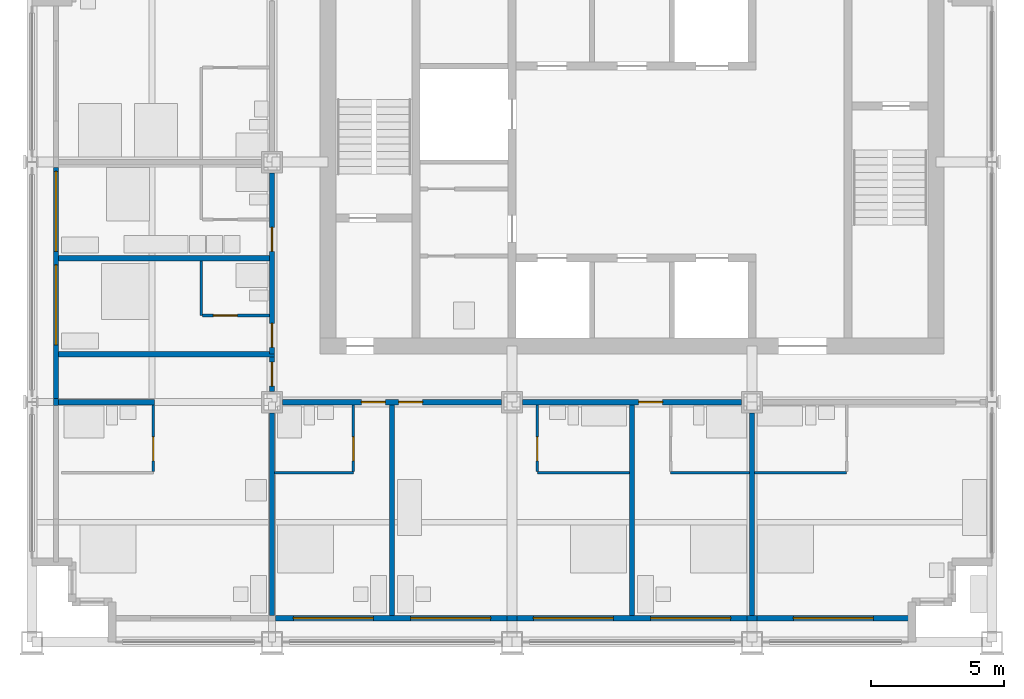
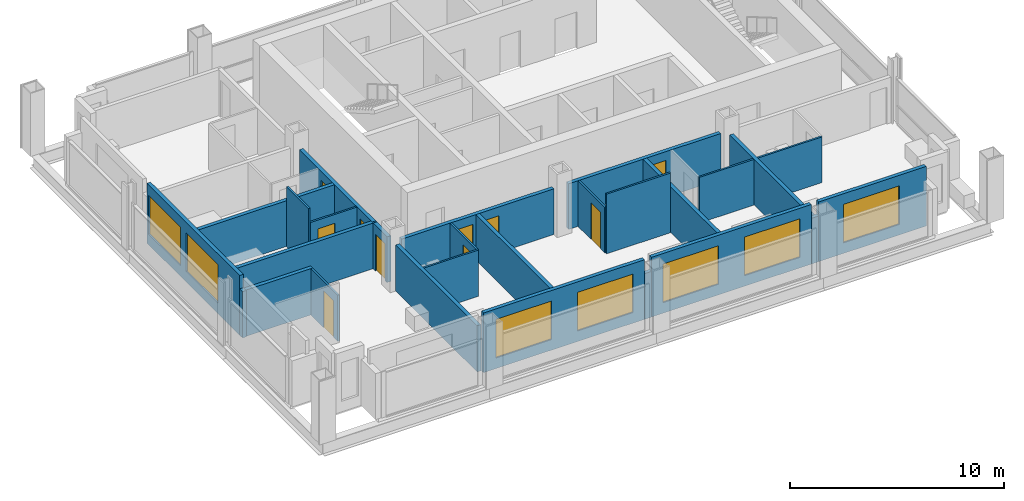
# One storey, part 6 of 12: 27 walls, 10 doors, 7 windows, 17 openings.
"""IFC4 building model written with IfcOpenShell, lengths in metres."""

from ifc_helpers import new_model, si_unit, direction, frame, frame_2d, origin, place, context, subcontext, project, spatial, rectangle, extrude, material, layer, layer_set, type_object, element, fill, save


model = new_model("IFC4")

# Units and contexts
model_context = context("Model", 3, precision=1e-05, world=origin(), true_north=direction((0.0, 1.0)))
body_context = subcontext(model_context, "Body", "Model", "MODEL_VIEW")
ifc_project = project(units=[si_unit("LENGTHUNIT", "METRE"), si_unit("AREAUNIT", "SQUARE_METRE"), si_unit("VOLUMEUNIT", "CUBIC_METRE"), si_unit("PLANEANGLEUNIT", "RADIAN"), si_unit("MASSUNIT", "GRAM", prefix="KILO")], contexts=[model_context])

# Site, building, storey
site_placement = place(None, origin())
site = spatial("IfcSite", under=ifc_project, at=site_placement, CompositionType="ELEMENT")
building_placement = place(site_placement, origin())
building = spatial("IfcBuilding", under=site, at=building_placement, Name="Loomwork Tower", CompositionType="ELEMENT")
storey_placement = place(building_placement, frame((0.0, 0.0, 230.199951171875)))
storey = spatial("IfcBuildingStorey", under=building, at=storey_placement, Name="L63", CompositionType="ELEMENT", Elevation=230.199951171875)

# Wall
ifc_material_1 = material(Name="Gypsum board on steel studs, one-hour", Category="steel")
ifc_layer_1 = layer(ifc_material_1, 0.199951171875)
ifc_layer_set_1 = layer_set([ifc_layer_1], Name="Corridor wall 200")
wall_type_1 = type_object("IfcWallType", Name="Corridor wall 200", PredefinedType="PARTITIONING", material=ifc_layer_set_1)
wall_1_placement = place(storey_placement, frame((1.0, 9.0, 0.0), z_axis=(0.0, 0.0, 1.0), x_axis=(1.0, 0.0, 0.0)))
element("IfcWall", 1, at=wall_1_placement, inside=storey, type_object=wall_type_1, Name="South corridor wall 1", PredefinedType="PARTITIONING", context=body_context, shape_type="SweptSolid", body=[
    extrude(rectangle(XDim=3.60009765625, YDim=0.199951171875, at=frame_2d((1.800048828125, 0.0))), origin(), (0.0, 0.0, 1.0), 2.637939453125),
])

# Wall, openings, doors
wall_2_placement = place(storey_placement, frame((9.39990234375, 9.0, 0.0), z_axis=(0.0, 0.0, 1.0), x_axis=(1.0, 0.0, 0.0)))
wall_2 = element("IfcWall", 2, at=wall_2_placement, inside=storey, type_object=wall_type_1, Name="South corridor wall 2", PredefinedType="PARTITIONING", context=body_context, shape_type="SweptSolid", body=[
    extrude(rectangle(XDim=8.2001953125, YDim=0.199951171875, at=frame_2d((4.10009765625, 0.0))), origin(), (0.0, 0.0, 1.0), 2.60498046875),
])
opening_1_placement = place(wall_2_placement, frame((2.949951171875, 0.0, 0.0)))
opening_1 = element("IfcOpeningElement", 3, at=opening_1_placement, cuts=wall_2, Name="Opening D1", PredefinedType="OPENING", context=body_context, shape_type="SweptSolid", body=[
    extrude(rectangle(XDim=0.89990234375, YDim=2.10009765625, at=frame_2d((0.449951171875, 1.050048828125))), frame((0.0, 0.10986328125, 0.0), z_axis=(0.0, -1.0, 0.0), x_axis=(1.0, 0.0, 0.0)), (0.0, 0.0, 1.0), 0.219970703125),
])
opening_2_placement = place(wall_2_placement, frame((4.35009765625, 0.0, 0.0)))
opening_2 = element("IfcOpeningElement", 4, at=opening_2_placement, cuts=wall_2, Name="Opening D1", PredefinedType="OPENING", context=body_context, shape_type="SweptSolid", body=[
    extrude(rectangle(XDim=0.89990234375, YDim=2.10009765625, at=frame_2d((0.449951171875, 1.050048828125))), frame((0.0, 0.10986328125, 0.0), z_axis=(0.0, -1.0, 0.0), x_axis=(1.0, 0.0, 0.0)), (0.0, 0.0, 1.0), 0.219970703125),
])
ifc_material_2 = material(Name="Hollow metal door and frame")
door_type_1 = type_object("IfcDoorType", Name="Guest room entry door 900", OperationType="SINGLE_SWING_LEFT", PredefinedType="DOOR", material=ifc_material_2)
door_1_placement = place(opening_1_placement, frame((0.89990234375, 0.0, 0.0), z_axis=(0.0, 0.0, 1.0), x_axis=(-1.0, 0.0, 0.0)))
door_1 = element("IfcDoor", 5, at=door_1_placement, inside=storey, type_object=door_type_1, Name="Guest room entry door L63 2", OperationType="SINGLE_SWING_LEFT", OverallHeight=2.10009765625, OverallWidth=0.89990234375, PredefinedType="DOOR", context=body_context, shape_type="SweptSolid", body=[
    extrude(rectangle(XDim=0.89990234375, YDim=2.10009765625, at=frame_2d((0.449951171875, 1.050048828125))), frame((0.0, 0.02490234375, 0.0), z_axis=(0.0, -1.0, 0.0), x_axis=(1.0, 0.0, 0.0)), (0.0, 0.0, 1.0), 0.050048828125),
])
fill(opening_1, door_1)
door_2_placement = place(opening_2_placement, frame((0.89990234375, 0.0, 0.0), z_axis=(0.0, 0.0, 1.0), x_axis=(-1.0, 0.0, 0.0)))
door_2 = element("IfcDoor", 6, at=door_2_placement, inside=storey, type_object=door_type_1, Name="Guest room entry door L63 3", OperationType="SINGLE_SWING_RIGHT", OverallHeight=2.10009765625, OverallWidth=0.89990234375, PredefinedType="DOOR", context=body_context, shape_type="SweptSolid", body=[
    extrude(rectangle(XDim=0.89990234375, YDim=2.10009765625, at=frame_2d((0.449951171875, 1.050048828125))), frame((0.0, 0.02490234375, 0.0), z_axis=(0.0, -1.0, 0.0), x_axis=(1.0, 0.0, 0.0)), (0.0, 0.0, 1.0), 0.050048828125),
])
fill(opening_2, door_2)

# Wall, opening, door
wall_3_placement = place(storey_placement, frame((18.39990234375, 9.0, 0.0), z_axis=(0.0, 0.0, 1.0), x_axis=(1.0, 0.0, 0.0)))
wall_3 = element("IfcWall", 7, at=wall_3_placement, inside=storey, type_object=wall_type_1, Name="South corridor wall 3", PredefinedType="PARTITIONING", context=body_context, shape_type="SweptSolid", body=[
    extrude(rectangle(XDim=8.2001953125, YDim=0.199951171875, at=frame_2d((4.10009765625, 0.0))), origin(), (0.0, 0.0, 1.0), 2.60498046875),
])
opening_3_placement = place(wall_3_placement, frame((4.35009765625, 0.0, 0.0)))
opening_3 = element("IfcOpeningElement", 8, at=opening_3_placement, cuts=wall_3, Name="Opening D1", PredefinedType="OPENING", context=body_context, shape_type="SweptSolid", body=[
    extrude(rectangle(XDim=0.89990234375, YDim=2.10009765625, at=frame_2d((0.449951171875, 1.050048828125))), frame((0.0, 0.10986328125, 0.0), z_axis=(0.0, -1.0, 0.0), x_axis=(1.0, 0.0, 0.0)), (0.0, 0.0, 1.0), 0.219970703125),
])
door_3_placement = place(opening_3_placement, frame((0.89990234375, 0.0, 0.0), z_axis=(0.0, 0.0, 1.0), x_axis=(-1.0, 0.0, 0.0)))
door_3 = element("IfcDoor", 9, at=door_3_placement, inside=storey, type_object=door_type_1, Name="Guest room entry door L63 4", OperationType="SINGLE_SWING_RIGHT", OverallHeight=2.10009765625, OverallWidth=0.89990234375, PredefinedType="DOOR", context=body_context, shape_type="SweptSolid", body=[
    extrude(rectangle(XDim=0.89990234375, YDim=2.10009765625, at=frame_2d((0.449951171875, 1.050048828125))), frame((0.0, 0.02490234375, 0.0), z_axis=(0.0, -1.0, 0.0), x_axis=(1.0, 0.0, 0.0)), (0.0, 0.0, 1.0), 0.050048828125),
])
fill(opening_3, door_3)

# Wall, openings, doors
wall_4_placement = place(storey_placement, frame((9.0, 10.800048828125, 0.0), z_axis=(0.0, 0.0, 1.0), x_axis=(0.0, 1.0, 0.0)))
wall_4 = element("IfcWall", 10, at=wall_4_placement, inside=storey, type_object=wall_type_1, Name="West corridor wall 1", PredefinedType="PARTITIONING", context=body_context, shape_type="SweptSolid", body=[
    extrude(rectangle(XDim=6.800048828125, YDim=0.199951171875, at=frame_2d((3.39990234375, 0.0))), origin(), (0.0, 0.0, 1.0), 2.60498046875),
])
opening_4_placement = place(wall_4_placement, frame((0.25, 0.0, 0.0)))
opening_4 = element("IfcOpeningElement", 11, at=opening_4_placement, cuts=wall_4, Name="Opening D1", PredefinedType="OPENING", context=body_context, shape_type="SweptSolid", body=[
    extrude(rectangle(XDim=0.89990234375, YDim=2.10009765625, at=frame_2d((0.449951171875, 1.050048828125))), frame((0.0, 0.10986328125, 0.0), z_axis=(0.0, -1.0, 0.0), x_axis=(1.0, 0.0, 0.0)), (0.0, 0.0, 1.0), 0.219970703125),
])
opening_5_placement = place(wall_4_placement, frame((3.85009765625, 0.0, 0.0)))
opening_5 = element("IfcOpeningElement", 12, at=opening_5_placement, cuts=wall_4, Name="Opening D1", PredefinedType="OPENING", context=body_context, shape_type="SweptSolid", body=[
    extrude(rectangle(XDim=0.89990234375, YDim=2.10009765625, at=frame_2d((0.449951171875, 1.050048828125))), frame((0.0, 0.10986328125, 0.0), z_axis=(0.0, -1.0, 0.0), x_axis=(1.0, 0.0, 0.0)), (0.0, 0.0, 1.0), 0.219970703125),
])
door_4_placement = place(opening_4_placement, origin())
door_4 = element("IfcDoor", 13, at=door_4_placement, inside=storey, type_object=door_type_1, Name="Guest room entry door L63 6", OperationType="SINGLE_SWING_LEFT", OverallHeight=2.10009765625, OverallWidth=0.89990234375, PredefinedType="DOOR", context=body_context, shape_type="SweptSolid", body=[
    extrude(rectangle(XDim=0.89990234375, YDim=2.10009765625, at=frame_2d((0.449951171875, 1.050048828125))), frame((0.0, 0.02490234375, 0.0), z_axis=(0.0, -1.0, 0.0), x_axis=(1.0, 0.0, 0.0)), (0.0, 0.0, 1.0), 0.050048828125),
])
fill(opening_4, door_4)
door_5_placement = place(opening_5_placement, origin())
door_5 = element("IfcDoor", 14, at=door_5_placement, inside=storey, type_object=door_type_1, Name="Guest room entry door L63 7", OperationType="SINGLE_SWING_LEFT", OverallHeight=2.10009765625, OverallWidth=0.89990234375, PredefinedType="DOOR", context=body_context, shape_type="SweptSolid", body=[
    extrude(rectangle(XDim=0.89990234375, YDim=2.10009765625, at=frame_2d((0.449951171875, 1.050048828125))), frame((0.0, 0.02490234375, 0.0), z_axis=(0.0, -1.0, 0.0), x_axis=(1.0, 0.0, 0.0)), (0.0, 0.0, 1.0), 0.050048828125),
])
fill(opening_5, door_5)

# Wall
wall_5_placement = place(storey_placement, frame((1.0, 10.800048828125, 0.0), z_axis=(0.0, 0.0, 1.0), x_axis=(1.0, 0.0, 0.0)))
element("IfcWall", 15, at=wall_5_placement, inside=storey, type_object=wall_type_1, Name="West band end wall S", PredefinedType="PARTITIONING", context=body_context, shape_type="SweptSolid", body=[
    extrude(rectangle(XDim=8.10009765625, YDim=0.199951171875, at=frame_2d((4.050048828125, 0.0))), origin(), (0.0, 0.0, 1.0), 2.60400390625),
])

# Wall, opening, door
wall_6_placement = place(storey_placement, frame((9.0, 9.39990234375, 0.0), z_axis=(0.0, 0.0, 1.0), x_axis=(0.0, 1.0, 0.0)))
wall_6 = element("IfcWall", 16, at=wall_6_placement, inside=storey, type_object=wall_type_1, Name="Corner suite foyer wall", PredefinedType="PARTITIONING", context=body_context, shape_type="SweptSolid", body=[
    extrude(rectangle(XDim=1.300048828125, YDim=0.199951171875, at=frame_2d((0.64990234375, 0.0))), origin(), (0.0, 0.0, 1.0), 2.60498046875),
])
opening_6_placement = place(wall_6_placement, frame((0.199951171875, 0.0, 0.0)))
opening_6 = element("IfcOpeningElement", 17, at=opening_6_placement, cuts=wall_6, Name="Opening D1", PredefinedType="OPENING", context=body_context, shape_type="SweptSolid", body=[
    extrude(rectangle(XDim=0.89990234375, YDim=2.10009765625, at=frame_2d((0.449951171875, 1.050048828125))), frame((0.0, 0.10986328125, 0.0), z_axis=(0.0, -1.0, 0.0), x_axis=(1.0, 0.0, 0.0)), (0.0, 0.0, 1.0), 0.219970703125),
])
door_6_placement = place(opening_6_placement, origin())
door_6 = element("IfcDoor", 18, at=door_6_placement, inside=storey, type_object=door_type_1, Name="Guest room entry door L63 1", OperationType="SINGLE_SWING_RIGHT", OverallHeight=2.10009765625, OverallWidth=0.89990234375, PredefinedType="DOOR", context=body_context, shape_type="SweptSolid", body=[
    extrude(rectangle(XDim=0.89990234375, YDim=2.10009765625, at=frame_2d((0.449951171875, 1.050048828125))), frame((0.0, 0.02490234375, 0.0), z_axis=(0.0, -1.0, 0.0), x_axis=(1.0, 0.0, 0.0)), (0.0, 0.0, 1.0), 0.050048828125),
])
fill(opening_6, door_6)

ifc_material_3 = material(Name="Cement board on steel studs", Category="steel")
ifc_layer_2 = layer(ifc_material_3, 0.10009765625)
ifc_layer_set_2 = layer_set([ifc_layer_2], Name="En-suite partition 100")
wall_type_2 = type_object("IfcWallType", Name="En-suite partition 100", PredefinedType="PARTITIONING", material=ifc_layer_set_2)
wall_7_placement = place(storey_placement, frame((4.550048828125, 8.89990234375, 0.0), z_axis=(0.0, 0.0, 1.0), x_axis=(0.0, -1.0, 0.0)))
wall_7 = element("IfcWall", 19, at=wall_7_placement, inside=storey, type_object=wall_type_2, Name="En-suite side wall L63 room 1", PredefinedType="PARTITIONING", context=body_context, shape_type="SweptSolid", body=[
    extrude(rectangle(XDim=2.5, YDim=0.10009765625, at=frame_2d((1.25, 0.0))), origin(), (0.0, 0.0, 1.0), 2.637939453125),
])
opening_7_placement = place(wall_7_placement, frame((1.199951171875, 0.0, 0.0)))
opening_7 = element("IfcOpeningElement", 20, at=opening_7_placement, cuts=wall_7, Name="Opening D3", PredefinedType="OPENING", context=body_context, shape_type="SweptSolid", body=[
    extrude(rectangle(XDim=0.89990234375, YDim=2.10009765625, at=frame_2d((0.449951171875, 1.050048828125))), frame((0.0, 0.06005859375, 0.0), z_axis=(0.0, -1.0, 0.0), x_axis=(1.0, 0.0, 0.0)), (0.0, 0.0, 1.0), 0.1201171875),
])
ifc_material_4 = material(Name="Hollow metal door and frame")
door_type_2 = type_object("IfcDoorType", Name="Accessible en-suite door 900", OperationType="SLIDING_TO_LEFT", PredefinedType="DOOR", material=ifc_material_4)
door_7_placement = place(opening_7_placement, origin())
door_7 = element("IfcDoor", 21, at=door_7_placement, inside=storey, type_object=door_type_2, Name="Accessible en-suite door room 1", OperationType="SLIDING_TO_LEFT", OverallHeight=2.10009765625, OverallWidth=0.89990234375, PredefinedType="DOOR", context=body_context, shape_type="SweptSolid", body=[
    extrude(rectangle(XDim=0.89990234375, YDim=2.10009765625, at=frame_2d((0.449951171875, 1.050048828125))), frame((0.0, 0.02490234375, 0.0), z_axis=(0.0, -1.0, 0.0), x_axis=(1.0, 0.0, 0.0)), (0.0, 0.0, 1.0), 0.050048828125),
])
fill(opening_7, door_7)

# Wall
wall_8_placement = place(storey_placement, frame((9.10009765625, 6.35009765625, 0.0), z_axis=(0.0, 0.0, 1.0), x_axis=(1.0, 0.0, 0.0)))
element("IfcWall", 22, at=wall_8_placement, inside=storey, type_object=wall_type_2, Name="En-suite wall L63 room 2", PredefinedType="PARTITIONING", context=body_context, shape_type="SweptSolid", body=[
    extrude(rectangle(XDim=2.949951171875, YDim=0.10009765625, at=frame_2d((1.47509765625, 0.0))), origin(), (0.0, 0.0, 1.0), 2.637939453125),
])

# Wall, opening, door
wall_9_placement = place(storey_placement, frame((12.050048828125, 8.89990234375, 0.0), z_axis=(0.0, 0.0, 1.0), x_axis=(0.0, -1.0, 0.0)))
wall_9 = element("IfcWall", 23, at=wall_9_placement, inside=storey, type_object=wall_type_2, Name="En-suite side wall L63 room 2", PredefinedType="PARTITIONING", context=body_context, shape_type="SweptSolid", body=[
    extrude(rectangle(XDim=2.5, YDim=0.10009765625, at=frame_2d((1.25, 0.0))), origin(), (0.0, 0.0, 1.0), 2.60400390625),
])
opening_8_placement = place(wall_9_placement, frame((1.199951171875, 0.0, 0.0)))
opening_8 = element("IfcOpeningElement", 24, at=opening_8_placement, cuts=wall_9, Name="Opening D2", PredefinedType="OPENING", context=body_context, shape_type="SweptSolid", body=[
    extrude(rectangle(XDim=0.89990234375, YDim=2.10009765625, at=frame_2d((0.449951171875, 1.050048828125))), frame((0.0, 0.06005859375, 0.0), z_axis=(0.0, -1.0, 0.0), x_axis=(1.0, 0.0, 0.0)), (0.0, 0.0, 1.0), 0.1201171875),
])
ifc_material_5 = material(Name="Hollow metal door and frame")
door_type_3 = type_object("IfcDoorType", Name="En-suite door 900", OperationType="SINGLE_SWING_LEFT", PredefinedType="DOOR", material=ifc_material_5)
door_8_placement = place(opening_8_placement, frame((0.89990234375, 0.0, 0.0), z_axis=(0.0, 0.0, 1.0), x_axis=(-1.0, 0.0, 0.0)))
door_8 = element("IfcDoor", 25, at=door_8_placement, inside=storey, type_object=door_type_3, Name="En-suite door room 2", OperationType="SINGLE_SWING_LEFT", OverallHeight=2.10009765625, OverallWidth=0.89990234375, PredefinedType="DOOR", context=body_context, shape_type="SweptSolid", body=[
    extrude(rectangle(XDim=0.89990234375, YDim=2.10009765625, at=frame_2d((0.449951171875, 1.050048828125))), frame((0.0, 0.02490234375, 0.0), z_axis=(0.0, -1.0, 0.0), x_axis=(1.0, 0.0, 0.0)), (0.0, 0.0, 1.0), 0.050048828125),
])
fill(opening_8, door_8)

# Wall
wall_10_placement = place(storey_placement, frame((18.949951171875, 6.35009765625, 0.0), z_axis=(0.0, 0.0, 1.0), x_axis=(1.0, 0.0, 0.0)))
element("IfcWall", 26, at=wall_10_placement, inside=storey, type_object=wall_type_2, Name="En-suite wall L63 room 3", PredefinedType="PARTITIONING", context=body_context, shape_type="SweptSolid", body=[
    extrude(rectangle(XDim=3.449951171875, YDim=0.10009765625, at=frame_2d((1.72509765625, 0.0))), origin(), (0.0, 0.0, 1.0), 3.400146484375),
])

# Wall, opening, door
wall_11_placement = place(storey_placement, frame((18.949951171875, 8.89990234375, 0.0), z_axis=(0.0, 0.0, 1.0), x_axis=(0.0, -1.0, 0.0)))
wall_11 = element("IfcWall", 27, at=wall_11_placement, inside=storey, type_object=wall_type_2, Name="En-suite side wall L63 room 3", PredefinedType="PARTITIONING", context=body_context, shape_type="SweptSolid", body=[
    extrude(rectangle(XDim=2.5, YDim=0.10009765625, at=frame_2d((1.25, 0.0))), origin(), (0.0, 0.0, 1.0), 2.60400390625),
])
opening_9_placement = place(wall_11_placement, frame((1.199951171875, 0.0, 0.0)))
opening_9 = element("IfcOpeningElement", 28, at=opening_9_placement, cuts=wall_11, Name="Opening D2", PredefinedType="OPENING", context=body_context, shape_type="SweptSolid", body=[
    extrude(rectangle(XDim=0.89990234375, YDim=2.10009765625, at=frame_2d((0.449951171875, 1.050048828125))), frame((0.0, 0.06005859375, 0.0), z_axis=(0.0, -1.0, 0.0), x_axis=(1.0, 0.0, 0.0)), (0.0, 0.0, 1.0), 0.1201171875),
])
door_9_placement = place(opening_9_placement, origin())
door_9 = element("IfcDoor", 29, at=door_9_placement, inside=storey, type_object=door_type_3, Name="En-suite door room 3", OperationType="SINGLE_SWING_RIGHT", OverallHeight=2.10009765625, OverallWidth=0.89990234375, PredefinedType="DOOR", context=body_context, shape_type="SweptSolid", body=[
    extrude(rectangle(XDim=0.89990234375, YDim=2.10009765625, at=frame_2d((0.449951171875, 1.050048828125))), frame((0.0, 0.02490234375, 0.0), z_axis=(0.0, -1.0, 0.0), x_axis=(1.0, 0.0, 0.0)), (0.0, 0.0, 1.0), 0.050048828125),
])
fill(opening_9, door_9)

# Walls
wall_12_placement = place(storey_placement, frame((23.949951171875, 6.35009765625, 0.0), z_axis=(0.0, 0.0, 1.0), x_axis=(1.0, 0.0, 0.0)))
element("IfcWall", 30, at=wall_12_placement, inside=storey, type_object=wall_type_2, Name="En-suite wall L63 room 4", PredefinedType="PARTITIONING", context=body_context, shape_type="SweptSolid", body=[
    extrude(rectangle(XDim=2.949951171875, YDim=0.10009765625, at=frame_2d((1.47509765625, 0.0))), origin(), (0.0, 0.0, 1.0), 2.60400390625),
])
wall_13_placement = place(storey_placement, frame((27.10009765625, 6.35009765625, 0.0), z_axis=(0.0, 0.0, 1.0), x_axis=(1.0, 0.0, 0.0)))
element("IfcWall", 31, at=wall_13_placement, inside=storey, type_object=wall_type_2, Name="En-suite wall L63 room 5", PredefinedType="PARTITIONING", context=body_context, shape_type="SweptSolid", body=[
    extrude(rectangle(XDim=3.449951171875, YDim=0.10009765625, at=frame_2d((1.72509765625, 0.0))), origin(), (0.0, 0.0, 1.0), 2.60400390625),
])
wall_14_placement = place(storey_placement, frame((6.35009765625, 12.25, 0.0), z_axis=(0.0, 0.0, 1.0), x_axis=(0.0, 1.0, 0.0)))
element("IfcWall", 32, at=wall_14_placement, inside=storey, type_object=wall_type_2, Name="En-suite wall L63 room 6", PredefinedType="PARTITIONING", context=body_context, shape_type="SweptSolid", body=[
    extrude(rectangle(XDim=2.050048828125, YDim=0.10009765625, at=frame_2d((1.02490234375, 0.0))), origin(), (0.0, 0.0, 1.0), 3.400146484375),
])

# Wall, opening, door
wall_15_placement = place(storey_placement, frame((8.89990234375, 12.25, 0.0), z_axis=(0.0, 0.0, 1.0), x_axis=(-1.0, 0.0, 0.0)))
wall_15 = element("IfcWall", 33, at=wall_15_placement, inside=storey, type_object=wall_type_2, Name="En-suite side wall L63 room 6", PredefinedType="PARTITIONING", context=body_context, shape_type="SweptSolid", body=[
    extrude(rectangle(XDim=2.5, YDim=0.10009765625, at=frame_2d((1.25, 0.0))), origin(), (0.0, 0.0, 1.0), 2.60400390625),
])
opening_10_placement = place(wall_15_placement, frame((1.199951171875, 0.0, 0.0)))
opening_10 = element("IfcOpeningElement", 34, at=opening_10_placement, cuts=wall_15, Name="Opening D2", PredefinedType="OPENING", context=body_context, shape_type="SweptSolid", body=[
    extrude(rectangle(XDim=0.89990234375, YDim=2.10009765625, at=frame_2d((0.449951171875, 1.050048828125))), frame((0.0, 0.06005859375, 0.0), z_axis=(0.0, -1.0, 0.0), x_axis=(1.0, 0.0, 0.0)), (0.0, 0.0, 1.0), 0.1201171875),
])
door_10_placement = place(opening_10_placement, frame((0.89990234375, 0.0, 0.0), z_axis=(0.0, 0.0, 1.0), x_axis=(-1.0, 0.0, 0.0)))
door_10 = element("IfcDoor", 35, at=door_10_placement, inside=storey, type_object=door_type_3, Name="En-suite door room 6", OperationType="SINGLE_SWING_LEFT", OverallHeight=2.10009765625, OverallWidth=0.89990234375, PredefinedType="DOOR", context=body_context, shape_type="SweptSolid", body=[
    extrude(rectangle(XDim=0.89990234375, YDim=2.10009765625, at=frame_2d((0.449951171875, 1.050048828125))), frame((0.0, 0.02490234375, 0.0), z_axis=(0.0, -1.0, 0.0), x_axis=(1.0, 0.0, 0.0)), (0.0, 0.0, 1.0), 0.050048828125),
])
fill(opening_10, door_10)

# Walls
ifc_material_6 = material(Name="Gypsum board on steel studs, acoustic", Category="steel")
ifc_layer_3 = layer(ifc_material_6, 0.199951171875)
ifc_layer_set_3 = layer_set([ifc_layer_3], Name="Guest room party wall 200")
wall_type_3 = type_object("IfcWallType", Name="Guest room party wall 200", PredefinedType="PARTITIONING", material=ifc_layer_set_3)
wall_16_placement = place(storey_placement, frame((9.0, 8.60009765625, 0.0), z_axis=(0.0, 0.0, 1.0), x_axis=(0.0, -1.0, 0.0)))
element("IfcWall", 36, at=wall_16_placement, inside=storey, type_object=wall_type_3, Name="Guest room party wall S 9", PredefinedType="PARTITIONING", context=body_context, shape_type="SweptSolid", body=[
    extrude(rectangle(XDim=7.60009765625, YDim=0.199951171875, at=frame_2d((3.800048828125, 0.0))), origin(), (0.0, 0.0, 1.0), 2.637939453125),
])
for number, where, z_axis, x_axis, name in (
    (37, (13.5, 8.89990234375, 0.0), (0.0, 0.0, 1.0), (0.0, -1.0, 0.0), "Guest room party wall S 13.5"),
    (38, (22.5, 8.89990234375, 0.0), (0.0, 0.0, 1.0), (0.0, -1.0, 0.0), "Guest room party wall S 22.5"),
):
    element("IfcWall", number, at=place(storey_placement, frame(where, z_axis=z_axis, x_axis=x_axis)), inside=storey, type_object=wall_type_3, Name=name, PredefinedType="PARTITIONING", context=body_context, shape_type="SweptSolid", body=[
        extrude(rectangle(XDim=7.89990234375, YDim=0.199951171875, at=frame_2d((3.949951171875, 0.0))), origin(), (0.0, 0.0, 1.0), 2.60400390625),
    ])
wall_17_placement = place(storey_placement, frame((27.0, 8.60009765625, 0.0), z_axis=(0.0, 0.0, 1.0), x_axis=(0.0, -1.0, 0.0)))
element("IfcWall", 39, at=wall_17_placement, inside=storey, type_object=wall_type_3, Name="Guest room party wall S 27", PredefinedType="PARTITIONING", context=body_context, shape_type="SweptSolid", body=[
    extrude(rectangle(XDim=7.60009765625, YDim=0.199951171875, at=frame_2d((3.800048828125, 0.0))), origin(), (0.0, 0.0, 1.0), 2.60498046875),
])
wall_18_placement = place(storey_placement, frame((8.89990234375, 14.39990234375, 0.0), z_axis=(0.0, 0.0, 1.0), x_axis=(-1.0, 0.0, 0.0)))
element("IfcWall", 40, at=wall_18_placement, inside=storey, type_object=wall_type_3, Name="Guest room party wall W 14.4", PredefinedType="PARTITIONING", context=body_context, shape_type="SweptSolid", body=[
    extrude(rectangle(XDim=7.89990234375, YDim=0.199951171875, at=frame_2d((3.949951171875, 0.0))), origin(), (0.0, 0.0, 1.0), 2.60400390625),
])

# Wall, openings, windows
ifc_material_7 = material(Name="Insulated steel stud wall with gypsum lining", Category="steel")
ifc_layer_4 = layer(ifc_material_7, 0.199951171875)
ifc_layer_set_4 = layer_set([ifc_layer_4], Name="Inner skin wall 200")
wall_type_4 = type_object("IfcWallType", Name="Inner skin wall 200", PredefinedType="SOLIDWALL", material=ifc_layer_set_4)
wall_19_placement = place(storey_placement, frame((9.13525390625, 0.89990234375, 0.0), z_axis=(0.0, 0.0, 1.0), x_axis=(1.0, 0.0, 0.0)))
wall_19 = element("IfcWall", 41, at=wall_19_placement, inside=storey, type_object=wall_type_4, Name="Inner skin wall S bay 3", PredefinedType="SOLIDWALL", context=body_context, shape_type="SweptSolid", body=[
    extrude(rectangle(XDim=8.6708984375, YDim=0.199951171875, at=frame_2d((4.33544921875, 0.0))), origin(), (0.0, 0.0, 1.0), 3.400146484375),
])
opening_11_placement = place(wall_19_placement, frame((0.664794921875, 0.0, 0.60009765625)))
opening_11 = element("IfcOpeningElement", 42, at=opening_11_placement, cuts=wall_19, Name="Opening CH1", PredefinedType="OPENING", context=body_context, shape_type="SweptSolid", body=[
    extrude(rectangle(XDim=3.0, YDim=2.199951171875, at=frame_2d((1.5, 1.10009765625))), frame((0.0, 0.10986328125, 0.0), z_axis=(0.0, -1.0, 0.0), x_axis=(1.0, 0.0, 0.0)), (0.0, 0.0, 1.0), 0.219970703125),
])
opening_12_placement = place(wall_19_placement, frame((5.064697265625, 0.0, 0.60009765625)))
opening_12 = element("IfcOpeningElement", 43, at=opening_12_placement, cuts=wall_19, Name="Opening CH1", PredefinedType="OPENING", context=body_context, shape_type="SweptSolid", body=[
    extrude(rectangle(XDim=3.0, YDim=2.199951171875, at=frame_2d((1.5, 1.10009765625))), frame((0.0, 0.10986328125, 0.0), z_axis=(0.0, -1.0, 0.0), x_axis=(1.0, 0.0, 0.0)), (0.0, 0.0, 1.0), 0.219970703125),
])
ifc_material_8 = material(Name="Aluminium frame with clear insulated glass", Category="aluminium")
window_type = type_object("IfcWindowType", Name="Chicago window 3000", PartitioningType="TRIPLE_PANEL_VERTICAL", PredefinedType="WINDOW", material=ifc_material_8)
window_1_placement = place(opening_11_placement, origin())
window_1 = element("IfcWindow", 44, at=window_1_placement, inside=storey, type_object=window_type, Name="Chicago window L63 bay 2", OverallHeight=2.199951171875, OverallWidth=3.0, PartitioningType="TRIPLE_PANEL_VERTICAL", PredefinedType="WINDOW", context=body_context, shape_type="SweptSolid", body=[
    extrude(rectangle(XDim=3.0, YDim=2.199951171875, at=frame_2d((1.5, 1.10009765625))), frame((0.0, 0.030029296875, 0.0), z_axis=(0.0, -1.0, 0.0), x_axis=(1.0, 0.0, 0.0)), (0.0, 0.0, 1.0), 0.06005859375),
])
fill(opening_11, window_1)
window_2_placement = place(opening_12_placement, origin())
window_2 = element("IfcWindow", 45, at=window_2_placement, inside=storey, type_object=window_type, Name="Chicago window L63 bay 2", OverallHeight=2.199951171875, OverallWidth=3.0, PartitioningType="TRIPLE_PANEL_VERTICAL", PredefinedType="WINDOW", context=body_context, shape_type="SweptSolid", body=[
    extrude(rectangle(XDim=3.0, YDim=2.199951171875, at=frame_2d((1.5, 1.10009765625))), frame((0.0, 0.030029296875, 0.0), z_axis=(0.0, -1.0, 0.0), x_axis=(1.0, 0.0, 0.0)), (0.0, 0.0, 1.0), 0.06005859375),
])
fill(opening_12, window_2)

# Wall
wall_20_placement = place(storey_placement, frame((17.80615234375, 0.89990234375, 0.0), z_axis=(0.0, 0.0, 1.0), x_axis=(1.0, 0.0, 0.0)))
element("IfcWall", 46, at=wall_20_placement, inside=storey, type_object=wall_type_4, Name="Inner skin wall S bay 4", PredefinedType="SOLIDWALL", context=body_context, shape_type="SweptSolid", body=[
    extrude(rectangle(XDim=0.3876953125, YDim=0.199951171875, at=frame_2d((0.19384765625, 0.0))), origin(), (0.0, 0.0, 1.0), 2.60400390625),
])

# Wall, openings, windows
wall_21_placement = place(storey_placement, frame((18.19384765625, 0.89990234375, 0.0), z_axis=(0.0, 0.0, 1.0), x_axis=(1.0, 0.0, 0.0)))
wall_21 = element("IfcWall", 47, at=wall_21_placement, inside=storey, type_object=wall_type_4, Name="Inner skin wall S bay 5", PredefinedType="SOLIDWALL", context=body_context, shape_type="SweptSolid", body=[
    extrude(rectangle(XDim=8.6123046875, YDim=0.199951171875, at=frame_2d((4.30615234375, 0.0))), origin(), (0.0, 0.0, 1.0), 3.400146484375),
])
opening_13_placement = place(wall_21_placement, frame((0.606201171875, 0.0, 0.60009765625)))
opening_13 = element("IfcOpeningElement", 48, at=opening_13_placement, cuts=wall_21, Name="Opening CH1", PredefinedType="OPENING", context=body_context, shape_type="SweptSolid", body=[
    extrude(rectangle(XDim=3.0, YDim=2.199951171875, at=frame_2d((1.5, 1.10009765625))), frame((0.0, 0.10986328125, 0.0), z_axis=(0.0, -1.0, 0.0), x_axis=(1.0, 0.0, 0.0)), (0.0, 0.0, 1.0), 0.219970703125),
])
opening_14_placement = place(wall_21_placement, frame((5.006103515625, 0.0, 0.60009765625)))
opening_14 = element("IfcOpeningElement", 49, at=opening_14_placement, cuts=wall_21, Name="Opening CH1", PredefinedType="OPENING", context=body_context, shape_type="SweptSolid", body=[
    extrude(rectangle(XDim=3.0, YDim=2.199951171875, at=frame_2d((1.5, 1.10009765625))), frame((0.0, 0.10986328125, 0.0), z_axis=(0.0, -1.0, 0.0), x_axis=(1.0, 0.0, 0.0)), (0.0, 0.0, 1.0), 0.219970703125),
])
window_3_placement = place(opening_13_placement, origin())
window_3 = element("IfcWindow", 50, at=window_3_placement, inside=storey, type_object=window_type, Name="Chicago window L63 bay 3", OverallHeight=2.199951171875, OverallWidth=3.0, PartitioningType="TRIPLE_PANEL_VERTICAL", PredefinedType="WINDOW", context=body_context, shape_type="SweptSolid", body=[
    extrude(rectangle(XDim=3.0, YDim=2.199951171875, at=frame_2d((1.5, 1.10009765625))), frame((0.0, 0.030029296875, 0.0), z_axis=(0.0, -1.0, 0.0), x_axis=(1.0, 0.0, 0.0)), (0.0, 0.0, 1.0), 0.06005859375),
])
fill(opening_13, window_3)
window_4_placement = place(opening_14_placement, origin())
window_4 = element("IfcWindow", 51, at=window_4_placement, inside=storey, type_object=window_type, Name="Chicago window L63 bay 3", OverallHeight=2.199951171875, OverallWidth=3.0, PartitioningType="TRIPLE_PANEL_VERTICAL", PredefinedType="WINDOW", context=body_context, shape_type="SweptSolid", body=[
    extrude(rectangle(XDim=3.0, YDim=2.199951171875, at=frame_2d((1.5, 1.10009765625))), frame((0.0, 0.030029296875, 0.0), z_axis=(0.0, -1.0, 0.0), x_axis=(1.0, 0.0, 0.0)), (0.0, 0.0, 1.0), 0.06005859375),
])
fill(opening_14, window_4)

# Wall
wall_22_placement = place(storey_placement, frame((26.80615234375, 0.89990234375, 0.0), z_axis=(0.0, 0.0, 1.0), x_axis=(1.0, 0.0, 0.0)))
element("IfcWall", 52, at=wall_22_placement, inside=storey, type_object=wall_type_4, Name="Inner skin wall S bay 6", PredefinedType="SOLIDWALL", context=body_context, shape_type="SweptSolid", body=[
    extrude(rectangle(XDim=0.3876953125, YDim=0.199951171875, at=frame_2d((0.19384765625, 0.0))), origin(), (0.0, 0.0, 1.0), 2.60400390625),
])

# Wall, opening, window
wall_23_placement = place(storey_placement, frame((27.19384765625, 0.89990234375, 0.0), z_axis=(0.0, 0.0, 1.0), x_axis=(1.0, 0.0, 0.0)))
wall_23 = element("IfcWall", 53, at=wall_23_placement, inside=storey, type_object=wall_type_4, Name="Inner skin wall S bay 7", PredefinedType="SOLIDWALL", context=body_context, shape_type="SweptSolid", body=[
    extrude(rectangle(XDim=5.80615234375, YDim=0.199951171875, at=frame_2d((2.903076171875, 0.0))), origin(), (0.0, 0.0, 1.0), 3.400146484375),
])
opening_15_placement = place(wall_23_placement, frame((1.356201171875, 0.0, 0.60009765625)))
opening_15 = element("IfcOpeningElement", 54, at=opening_15_placement, cuts=wall_23, Name="Opening CH1", PredefinedType="OPENING", context=body_context, shape_type="SweptSolid", body=[
    extrude(rectangle(XDim=3.0, YDim=2.199951171875, at=frame_2d((1.5, 1.10009765625))), frame((0.0, 0.10986328125, 0.0), z_axis=(0.0, -1.0, 0.0), x_axis=(1.0, 0.0, 0.0)), (0.0, 0.0, 1.0), 0.219970703125),
])
window_5_placement = place(opening_15_placement, origin())
window_5 = element("IfcWindow", 55, at=window_5_placement, inside=storey, type_object=window_type, Name="Chicago window L63 bay 4", OverallHeight=2.199951171875, OverallWidth=3.0, PartitioningType="TRIPLE_PANEL_VERTICAL", PredefinedType="WINDOW", context=body_context, shape_type="SweptSolid", body=[
    extrude(rectangle(XDim=3.0, YDim=2.199951171875, at=frame_2d((1.5, 1.10009765625))), frame((0.0, 0.030029296875, 0.0), z_axis=(0.0, -1.0, 0.0), x_axis=(1.0, 0.0, 0.0)), (0.0, 0.0, 1.0), 0.06005859375),
])
fill(opening_15, window_5)

# Wall
wall_24_placement = place(storey_placement, frame((0.89990234375, 8.86474609375, 0.0), z_axis=(0.0, 0.0, 1.0), x_axis=(0.0, 1.0, 0.0)))
element("IfcWall", 56, at=wall_24_placement, inside=storey, type_object=wall_type_4, Name="Inner skin wall W bay 4", PredefinedType="SOLIDWALL", context=body_context, shape_type="SweptSolid", body=[
    extrude(rectangle(XDim=0.2705078125, YDim=0.199951171875, at=frame_2d((0.13525390625, 0.0))), origin(), (0.0, 0.0, 1.0), 2.637939453125),
])

# Wall, openings, windows
wall_25_placement = place(storey_placement, frame((0.89990234375, 9.13525390625, 0.0), z_axis=(0.0, 0.0, 1.0), x_axis=(0.0, 1.0, 0.0)))
wall_25 = element("IfcWall", 57, at=wall_25_placement, inside=storey, type_object=wall_type_4, Name="Inner skin wall W bay 5", PredefinedType="SOLIDWALL", context=body_context, shape_type="SweptSolid", body=[
    extrude(rectangle(XDim=8.6708984375, YDim=0.199951171875, at=frame_2d((4.33544921875, 0.0))), origin(), (0.0, 0.0, 1.0), 3.400146484375),
])
opening_16_placement = place(wall_25_placement, frame((2.0146484375, 0.0, 0.60009765625)))
opening_16 = element("IfcOpeningElement", 58, at=opening_16_placement, cuts=wall_25, Name="Opening CH1", PredefinedType="OPENING", context=body_context, shape_type="SweptSolid", body=[
    extrude(rectangle(XDim=3.0, YDim=2.199951171875, at=frame_2d((1.5, 1.10009765625))), frame((0.0, 0.10986328125, 0.0), z_axis=(0.0, -1.0, 0.0), x_axis=(1.0, 0.0, 0.0)), (0.0, 0.0, 1.0), 0.219970703125),
])
opening_17_placement = place(wall_25_placement, frame((5.5146484375, 0.0, 0.60009765625)))
opening_17 = element("IfcOpeningElement", 59, at=opening_17_placement, cuts=wall_25, Name="Opening CH1", PredefinedType="OPENING", context=body_context, shape_type="SweptSolid", body=[
    extrude(rectangle(XDim=3.0, YDim=2.199951171875, at=frame_2d((1.5, 1.10009765625))), frame((0.0, 0.10986328125, 0.0), z_axis=(0.0, -1.0, 0.0), x_axis=(1.0, 0.0, 0.0)), (0.0, 0.0, 1.0), 0.219970703125),
])
window_6_placement = place(opening_16_placement, origin())
window_6 = element("IfcWindow", 60, at=window_6_placement, inside=storey, type_object=window_type, Name="Chicago window L63 bay 5", OverallHeight=2.199951171875, OverallWidth=3.0, PartitioningType="TRIPLE_PANEL_VERTICAL", PredefinedType="WINDOW", context=body_context, shape_type="SweptSolid", body=[
    extrude(rectangle(XDim=3.0, YDim=2.199951171875, at=frame_2d((1.5, 1.10009765625))), frame((0.0, 0.030029296875, 0.0), z_axis=(0.0, -1.0, 0.0), x_axis=(1.0, 0.0, 0.0)), (0.0, 0.0, 1.0), 0.06005859375),
])
fill(opening_16, window_6)
window_7_placement = place(opening_17_placement, origin())
window_7 = element("IfcWindow", 61, at=window_7_placement, inside=storey, type_object=window_type, Name="Chicago window L63 bay 5", OverallHeight=2.199951171875, OverallWidth=3.0, PartitioningType="TRIPLE_PANEL_VERTICAL", PredefinedType="WINDOW", context=body_context, shape_type="SweptSolid", body=[
    extrude(rectangle(XDim=3.0, YDim=2.199951171875, at=frame_2d((1.5, 1.10009765625))), frame((0.0, 0.030029296875, 0.0), z_axis=(0.0, -1.0, 0.0), x_axis=(1.0, 0.0, 0.0)), (0.0, 0.0, 1.0), 0.06005859375),
])
fill(opening_17, window_7)

save(model, "model.ifc")
